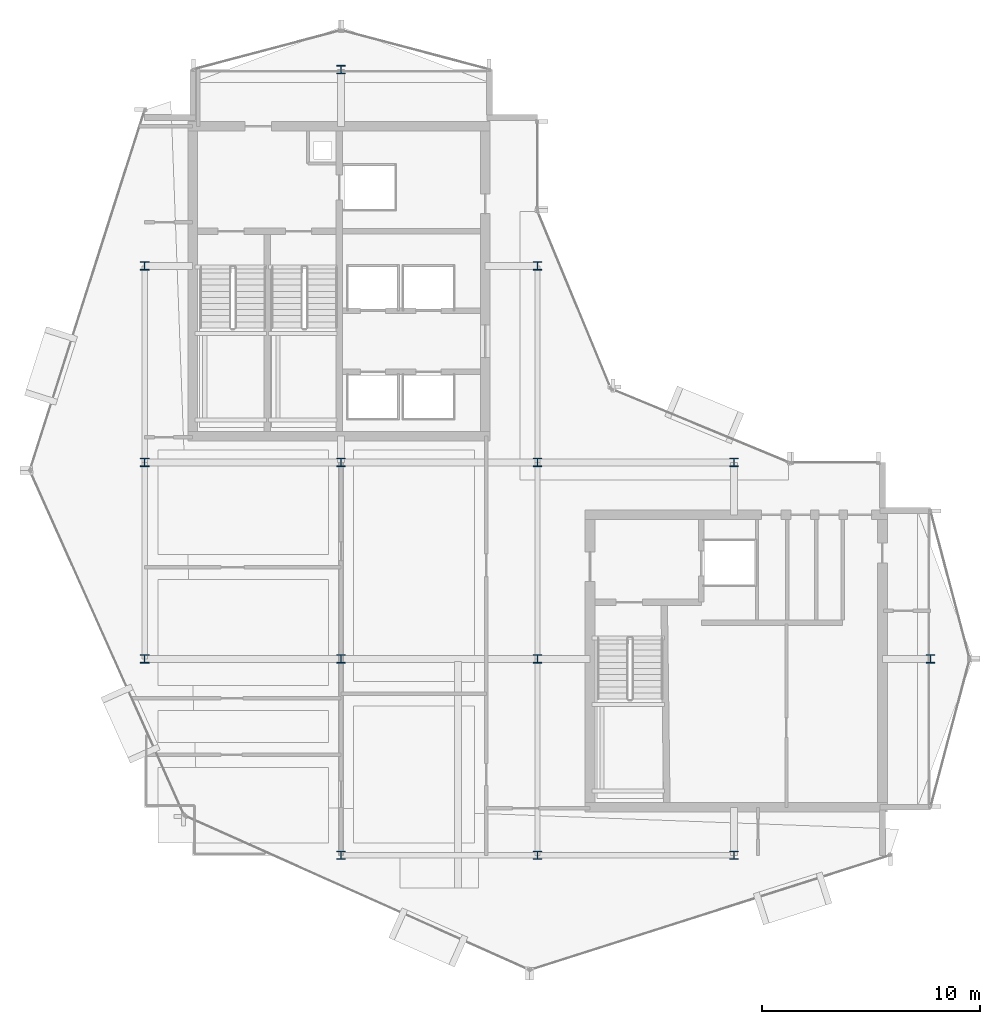
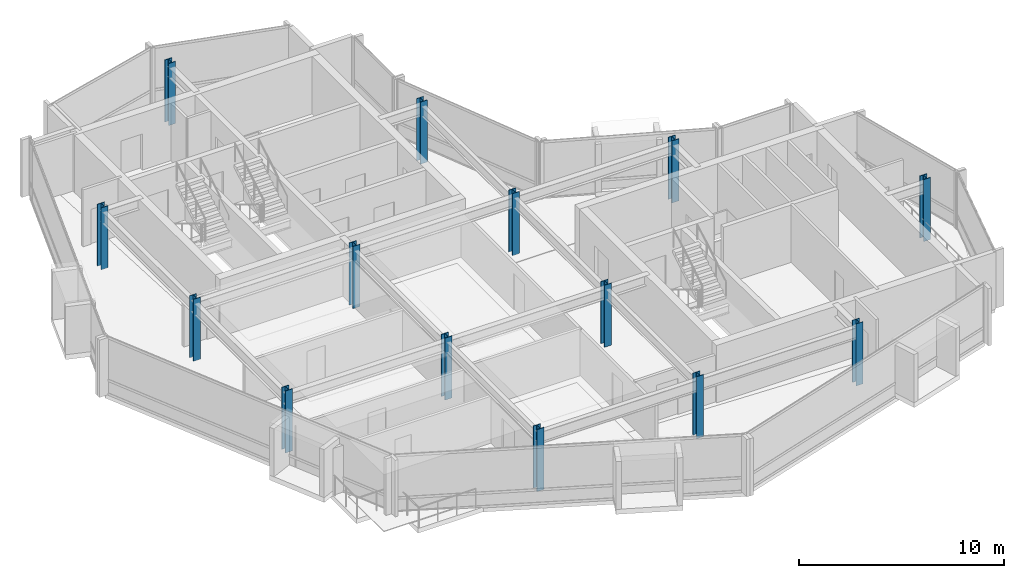
# One storey, part 1 of 19: 14 columns.
"""IFC4 building model written with IfcOpenShell, lengths in metres."""

from ifc_helpers import new_model, si_unit, direction, frame, origin, origin_2d, place, context, subcontext, project, spatial, i_section, extrude, material, material_profile, profile_set, type_object, element, save


model = new_model("IFC4")

# Units and contexts
model_context = context("Model", 3, precision=1e-05, world=origin(), true_north=direction((0.0, 1.0)))
body_context = subcontext(model_context, "Body", "Model", "MODEL_VIEW")
ifc_project = project(units=[si_unit("LENGTHUNIT", "METRE"), si_unit("AREAUNIT", "SQUARE_METRE"), si_unit("VOLUMEUNIT", "CUBIC_METRE"), si_unit("PLANEANGLEUNIT", "RADIAN"), si_unit("MASSUNIT", "GRAM", prefix="KILO")], contexts=[model_context])

# Site, building, storey
site_placement = place(None, origin())
site = spatial("IfcSite", under=ifc_project, at=site_placement, CompositionType="ELEMENT")
building_placement = place(site_placement, origin())
building = spatial("IfcBuilding", under=site, at=building_placement, Name="Solvaryn Broadcast Tower", CompositionType="ELEMENT")
storey_placement = place(building_placement, frame((0.0, 0.0, 244.5)))
storey = spatial("IfcBuildingStorey", under=building, at=storey_placement, Name="L61", CompositionType="ELEMENT", Elevation=244.5)

# Columns
ifc_material_1 = material(Name="Steel ASTM A913 Grade 65", Category="steel")
ifc_material_profile_1 = material_profile(ifc_material_1, i_section(OverallWidth=0.39697265625, OverallDepth=0.386962890625, WebThickness=0.02099609375, FlangeThickness=0.033203125, FilletRadius=0.014892578125, at=origin_2d()))
ifc_profile_set_1 = profile_set([ifc_material_profile_1], Name="Steel ASTM A913 Grade 65")
column_type_1 = type_object("IfcColumnType", Name="COL-C09E-W14X176", PredefinedType="COLUMN", material=ifc_profile_set_1)
for number, where, z_axis, x_axis, name in (
    (1, (9.0, 18.0, 0.0), (0.0, 0.0, 1.0), (1.0, 0.0, 0.0), "L61 Column (9.0, 18.0)"),
    (2, (9.0, 27.0, 0.0), (0.0, 0.0, 1.0), (1.0, 0.0, 0.0), "L61 Column (9.0, 27.0)"),
    (3, (9.0, 36.0, 0.0), (0.0, 0.0, 1.0), (1.0, 0.0, 0.0), "L61 Column (9.0, 36.0)"),
    (4, (18.0, 9.0, 0.0), (0.0, 0.0, 1.0), (1.0, 0.0, 0.0), "L61 Column (18.0, 9.0)"),
    (5, (18.0, 45.0, 0.0), (0.0, 0.0, 1.0), (1.0, 0.0, 0.0), "L61 Column (18.0, 45.0)"),
    (6, (27.0, 9.0, 0.0), (0.0, 0.0, 1.0), (1.0, 0.0, 0.0), "L61 Column (27.0, 9.0)"),
    (7, (27.0, 36.0, 0.0), (0.0, 0.0, 1.0), (1.0, 0.0, 0.0), "L61 Column (27.0, 36.0)"),
    (8, (36.0, 9.0, 0.0), (0.0, 0.0, 1.0), (1.0, 0.0, 0.0), "L61 Column (36.0, 9.0)"),
    (9, (36.0, 27.0, 0.0), (0.0, 0.0, 1.0), (1.0, 0.0, 0.0), "L61 Column (36.0, 27.0)"),
    (10, (45.0, 18.0, 0.0), (0.0, 0.0, 1.0), (1.0, 0.0, 0.0), "L61 Column (45.0, 18.0)"),
):
    element("IfcColumn", number, at=place(storey_placement, frame(where, z_axis=z_axis, x_axis=x_axis)), inside=storey, type_object=column_type_1, Name=name, PredefinedType="COLUMN", context=body_context, shape_type="SweptSolid", body=[
        extrude(i_section(OverallWidth=0.39697265625, OverallDepth=0.386962890625, WebThickness=0.02099609375, FlangeThickness=0.033203125, FilletRadius=0.014892578125, at=origin_2d()), origin(), (0.0, 0.0, 1.0), 3.699951171875),
    ])
ifc_material_2 = material(Name="Steel ASTM A913 Grade 65", Category="steel")
ifc_material_profile_2 = material_profile(ifc_material_2, i_section(OverallWidth=0.39697265625, OverallDepth=0.386962890625, WebThickness=0.02099609375, FlangeThickness=0.033203125, FilletRadius=0.014892578125, at=origin_2d()))
ifc_profile_set_2 = profile_set([ifc_material_profile_2], Name="Steel ASTM A913 Grade 65")
column_type_2 = type_object("IfcColumnType", Name="COL-C09I-W14X176", PredefinedType="COLUMN", material=ifc_profile_set_2)
for number, where, z_axis, x_axis, name in (
    (11, (18.0, 18.0, 0.0), (0.0, 0.0, 1.0), (1.0, 0.0, 0.0), "L61 Column (18.0, 18.0)"),
    (12, (18.0, 27.0, 0.0), (0.0, 0.0, 1.0), (1.0, 0.0, 0.0), "L61 Column (18.0, 27.0)"),
    (13, (27.0, 18.0, 0.0), (0.0, 0.0, 1.0), (1.0, 0.0, 0.0), "L61 Column (27.0, 18.0)"),
    (14, (27.0, 27.0, 0.0), (0.0, 0.0, 1.0), (1.0, 0.0, 0.0), "L61 Column (27.0, 27.0)"),
):
    element("IfcColumn", number, at=place(storey_placement, frame(where, z_axis=z_axis, x_axis=x_axis)), inside=storey, type_object=column_type_2, Name=name, PredefinedType="COLUMN", context=body_context, shape_type="SweptSolid", body=[
        extrude(i_section(OverallWidth=0.39697265625, OverallDepth=0.386962890625, WebThickness=0.02099609375, FlangeThickness=0.033203125, FilletRadius=0.014892578125, at=origin_2d()), origin(), (0.0, 0.0, 1.0), 3.699951171875),
    ])

save(model, "model.ifc")
